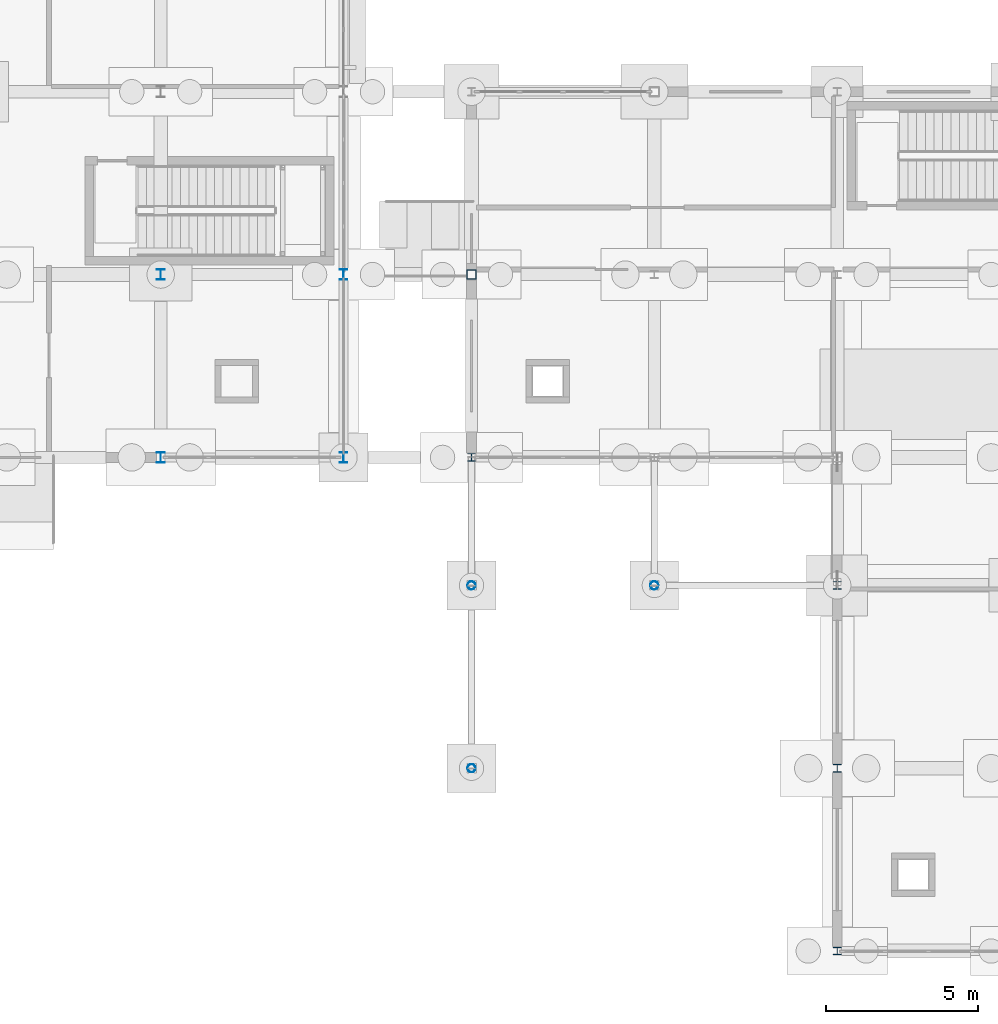
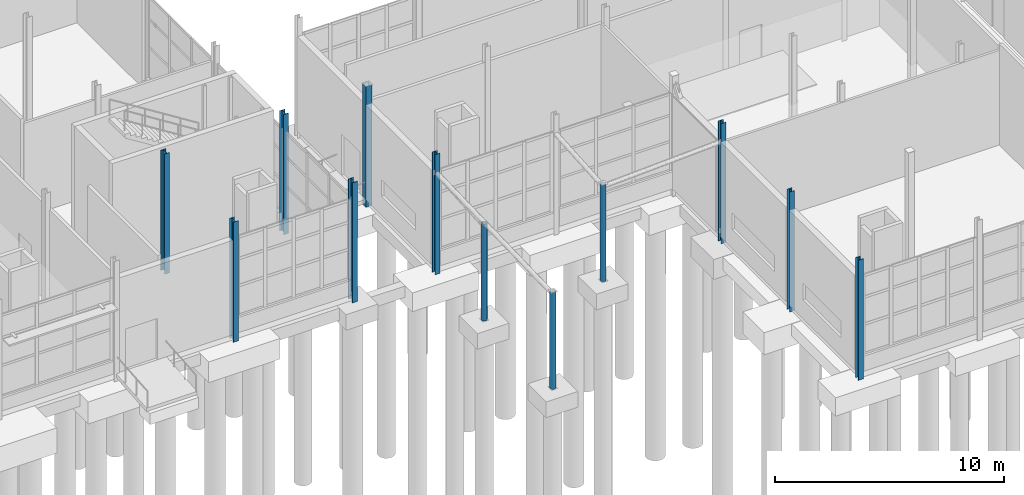
# One storey, part 17 of 120: 12 columns.
"""IFC4 building model written with IfcOpenShell, lengths in metres."""

from ifc_helpers import new_model, si_unit, direction, frame, origin, origin_2d, place, context, subcontext, project, spatial, hollow_rectangle, hollow_circle, i_section, extrude, material, material_profile, profile_set, type_object, element, save


model = new_model("IFC4")

# Units and contexts
model_context = context("Model", 3, precision=1e-05, world=origin(), true_north=direction((0.0, 1.0)))
body_context = subcontext(model_context, "Body", "Model", "MODEL_VIEW")
ifc_project = project(units=[si_unit("LENGTHUNIT", "METRE"), si_unit("AREAUNIT", "SQUARE_METRE"), si_unit("VOLUMEUNIT", "CUBIC_METRE"), si_unit("PLANEANGLEUNIT", "RADIAN"), si_unit("MASSUNIT", "GRAM", prefix="KILO")], contexts=[model_context])

# Site, building, storey
site_placement = place(None, origin())
site = spatial("IfcSite", under=ifc_project, at=site_placement, CompositionType="ELEMENT")
building_placement = place(site_placement, origin())
building = spatial("IfcBuilding", under=site, at=building_placement, Name="Siltcreek Boulevard Central Fire Station", CompositionType="ELEMENT")
storey_placement = place(building_placement, origin())
storey = spatial("IfcBuildingStorey", under=building, at=storey_placement, Name="L01", CompositionType="ELEMENT", Elevation=0.0)

# Columns
ifc_material_1 = material(Name="Structural steel ASTM A500 GrC", Category="steel")
ifc_material_profile_1 = material_profile(ifc_material_1, hollow_circle(Radius=0.136474609375, WallThickness=0.00927734375, at=origin_2d()), Name="HSS273.1X9.3")
ifc_profile_set_1 = profile_set([ifc_material_profile_1], Name="Structural steel ASTM A500 GrC")
column_type_1 = type_object("IfcColumnType", Name="COL_CHS273", PredefinedType="COLUMN", material=ifc_profile_set_1)
for number, where, z_axis, x_axis, name in (
    (1, (112.199951171875, 7.800048828125, -0.35009765625), (0.0, 0.0, 1.0), (1.0, 0.0, 0.0), "Boulevard canopy steel pipe column CC-03"),
    (2, (112.199951171875, 13.800048828125, -0.35009765625), (0.0, 0.0, 1.0), (1.0, 0.0, 0.0), "Boulevard canopy steel pipe column CC-04"),
    (3, (118.199951171875, 13.800048828125, -0.35009765625), (0.0, 0.0, 1.0), (1.0, 0.0, 0.0), "Boulevard canopy steel pipe column CC-05"),
):
    element("IfcColumn", number, at=place(storey_placement, frame(where, z_axis=z_axis, x_axis=x_axis)), inside=storey, type_object=column_type_1, Name=name, PredefinedType="COLUMN", context=body_context, shape_type="SweptSolid", body=[
        extrude(hollow_circle(Radius=0.136474609375, WallThickness=0.00927734375, at=origin_2d()), origin(), (0.0, 0.0, 1.0), 5.150146484375),
    ])
ifc_material_profile_2 = material_profile(ifc_material_1, hollow_rectangle(XDim=0.300048828125, YDim=0.300048828125, WallThickness=0.012451171875, at=origin_2d()), Name="HSS300X300X12.5")
ifc_profile_set_2 = profile_set([ifc_material_profile_2], Name="Structural steel ASTM A500 GrC")
column_type_2 = type_object("IfcColumnType", Name="COL_HSS300", PredefinedType="COLUMN", material=ifc_profile_set_2)
column_placement = place(storey_placement, frame((112.199951171875, 24.0, -0.409912109375), z_axis=(0.0, 0.0, 1.0), x_axis=(1.0, 0.0, 0.0)))
element("IfcColumn", 4, at=column_placement, inside=storey, type_object=column_type_2, Name="L01 structural column COLG-L01-1122-240", PredefinedType="COLUMN", context=body_context, shape_type="SweptSolid", body=[
    extrude(hollow_rectangle(XDim=0.300048828125, YDim=0.300048828125, WallThickness=0.012451171875, at=origin_2d()), origin(), (0.0, 0.0, 1.0), 6.409912109375),
])
ifc_material_2 = material(Name="Structural steel ASTM A992 Gr50", Category="steel")
ifc_material_profile_3 = material_profile(ifc_material_2, i_section(OverallWidth=0.25390625, OverallDepth=0.2529296875, WebThickness=0.008544921875, FlangeThickness=0.01416015625, at=origin_2d()), Name="W250X73")
ifc_profile_set_3 = profile_set([ifc_material_profile_3], Name="Structural steel ASTM A992 Gr50")
column_type_3 = type_object("IfcColumnType", Name="COL_W250X73", PredefinedType="COLUMN", material=ifc_profile_set_3)
for number, where, z_axis, x_axis, name in (
    (5, (112.199951171875, 18.0, -0.409912109375), (0.0, 0.0, 1.0), (1.0, 0.0, 0.0), "L01 structural column COLG-L01-1122-180"),
    (6, (124.199951171875, 1.800048828125, -0.409912109375), (0.0, 0.0, 1.0), (1.0, 0.0, 0.0), "L01 structural column COLG-L01-1242-18"),
    (7, (124.199951171875, 7.800048828125, -0.409912109375), (0.0, 0.0, 1.0), (1.0, 0.0, 0.0), "L01 structural column COLG-L01-1242-78"),
    (8, (124.199951171875, 13.800048828125, -0.409912109375), (0.0, 0.0, 1.0), (1.0, 0.0, 0.0), "L01 structural column COLG-L01-1242-138"),
):
    element("IfcColumn", number, at=place(storey_placement, frame(where, z_axis=z_axis, x_axis=x_axis)), inside=storey, type_object=column_type_3, Name=name, PredefinedType="COLUMN", context=body_context, shape_type="SweptSolid", body=[
        extrude(i_section(OverallWidth=0.25390625, OverallDepth=0.2529296875, WebThickness=0.008544921875, FlangeThickness=0.01416015625, at=origin_2d()), origin(), (0.0, 0.0, 1.0), 6.409912109375),
    ])
ifc_material_profile_4 = material_profile(ifc_material_2, i_section(OverallWidth=0.25390625, OverallDepth=0.35302734375, WebThickness=0.009521484375, FlangeThickness=0.016357421875, at=origin_2d()), Name="W360X91")
ifc_profile_set_4 = profile_set([ifc_material_profile_4], Name="Structural steel ASTM A992 Gr50")
column_type_4 = type_object("IfcColumnType", Name="COL_W360X91", PredefinedType="COLUMN", material=ifc_profile_set_4)
for number, where, z_axis, x_axis, name in (
    (9, (102.0, 18.0, -0.409912109375), (0.0, 0.0, 1.0), (1.0, 0.0, 0.0), "L01 structural column COLG-L01-1020-180"),
    (10, (102.0, 24.0, -0.409912109375), (0.0, 0.0, 1.0), (1.0, 0.0, 0.0), "L01 structural column COLG-L01-1020-240"),
    (11, (108.0, 18.0, -0.409912109375), (0.0, 0.0, 1.0), (1.0, 0.0, 0.0), "L01 structural column COLG-L01-1080-180"),
    (12, (108.0, 24.0, -0.409912109375), (0.0, 0.0, 1.0), (1.0, 0.0, 0.0), "L01 structural column COLG-L01-1080-240"),
):
    element("IfcColumn", number, at=place(storey_placement, frame(where, z_axis=z_axis, x_axis=x_axis)), inside=storey, type_object=column_type_4, Name=name, PredefinedType="COLUMN", context=body_context, shape_type="SweptSolid", body=[
        extrude(i_section(OverallWidth=0.25390625, OverallDepth=0.35302734375, WebThickness=0.009521484375, FlangeThickness=0.016357421875, at=origin_2d()), origin(), (0.0, 0.0, 1.0), 6.409912109375),
    ])

save(model, "model.ifc")
